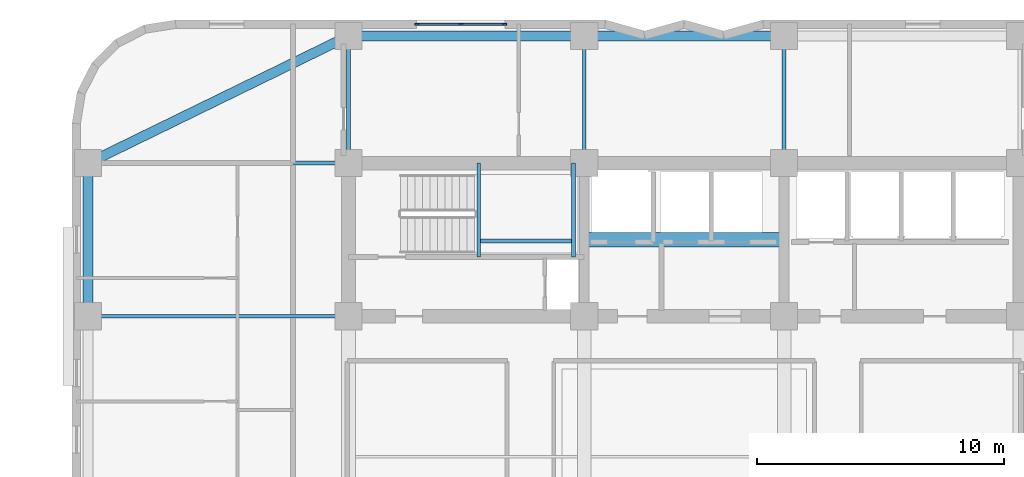
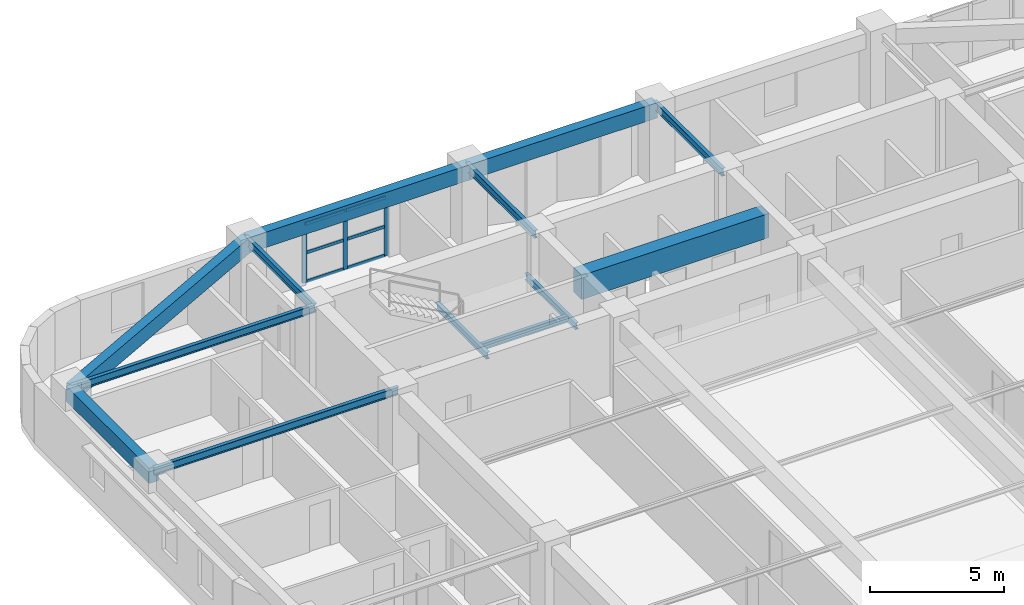
# One storey, part 5 of 15: 13 beams, 9 members, 1 element without a shape of its own.
"""IFC4 building model written with IfcOpenShell, lengths in metres."""

from ifc_helpers import new_model, si_unit, direction, frame, origin, origin_2d, place, context, subcontext, project, spatial, rectangle, i_section, extrude, material, material_profile, profile_set, type_object, element, aggregate, save


model = new_model("IFC4")

# Units and contexts
model_context = context("Model", 3, precision=1e-05, world=origin(), true_north=direction((0.0, 1.0)))
body_context = subcontext(model_context, "Body", "Model", "MODEL_VIEW")
ifc_project = project(units=[si_unit("LENGTHUNIT", "METRE"), si_unit("AREAUNIT", "SQUARE_METRE"), si_unit("VOLUMEUNIT", "CUBIC_METRE"), si_unit("PLANEANGLEUNIT", "RADIAN"), si_unit("MASSUNIT", "GRAM", prefix="KILO")], contexts=[model_context])

# Site, building, storey
site_placement = place(None, origin())
site = spatial("IfcSite", under=ifc_project, at=site_placement, CompositionType="ELEMENT")
building_placement = place(site_placement, origin())
building = spatial("IfcBuilding", under=site, at=building_placement, Name="Svetorya Sky Lyceum", CompositionType="ELEMENT")
storey_placement = place(building_placement, frame((0.0, 0.0, 117.89990234375)))
storey = spatial("IfcBuildingStorey", under=building, at=storey_placement, Name="L29", CompositionType="ELEMENT", Elevation=117.89990234375)

# Beams
ifc_material_1 = material(Name="Concrete C60/75", Category="concrete")
ifc_material_profile_1 = material_profile(ifc_material_1, rectangle(XDim=0.60009765625, YDim=1.10009765625, at=origin_2d()), Name="RC COUPLING 600x1100")
ifc_profile_set_1 = profile_set([ifc_material_profile_1], Name="Concrete C60/75")
beam_type_1 = type_object("IfcBeamType", Name="BM-CPL-1100", PredefinedType="LINTEL", material=ifc_profile_set_1)
beam_1_placement = place(storey_placement, frame((35.14990234375, 42.699951171875, 2.8701171875), z_axis=(1.0, 0.0, 0.0), x_axis=(0.0, 1.0, 0.0)))
element("IfcBeam", 1, at=beam_1_placement, inside=storey, type_object=beam_type_1, Name="L29 NC Core Coupling Beam", PredefinedType="LINTEL", context=body_context, shape_type="SweptSolid", body=[
    extrude(rectangle(XDim=0.60009765625, YDim=1.10009765625, at=origin_2d()), origin(), (0.0, 0.0, 1.0), 8.10009765625),
])
ifc_material_2 = material(Name="Concrete C50/60", Category="concrete")
ifc_material_profile_2 = material_profile(ifc_material_2, rectangle(XDim=0.39990234375, YDim=0.699951171875, at=origin_2d()), Name="RC SPANDREL 400x700")
ifc_profile_set_2 = profile_set([ifc_material_profile_2], Name="Concrete C50/60")
beam_type_2 = type_object("IfcBeamType", Name="BM-SPN-700", PredefinedType="SPANDREL", material=ifc_profile_set_2)
beam_2_placement = place(storey_placement, frame((25.60009765625, 50.949951171875, 3.070068359375), z_axis=(1.0, 0.0, 0.0), x_axis=(0.0, 1.0, 0.0)))
element("IfcBeam", 2, at=beam_2_placement, inside=storey, type_object=beam_type_2, Name="L29 North Spandrel 1", PredefinedType="SPANDREL", context=body_context, shape_type="SweptSolid", body=[
    extrude(rectangle(XDim=0.39990234375, YDim=0.699951171875, at=origin_2d()), origin(), (0.0, 0.0, 1.0), 9.5498046875),
])
beam_3_placement = place(storey_placement, frame((35.14990234375, 50.949951171875, 3.070068359375), z_axis=(1.0, 0.0, 0.0), x_axis=(0.0, 1.0, 0.0)))
element("IfcBeam", 3, at=beam_3_placement, inside=storey, type_object=beam_type_2, Name="L29 North Spandrel 2", PredefinedType="SPANDREL", context=body_context, shape_type="SweptSolid", body=[
    extrude(rectangle(XDim=0.39990234375, YDim=0.699951171875, at=origin_2d()), origin(), (0.0, 0.0, 1.0), 8.10009765625),
])
beam_4_placement = place(storey_placement, frame((15.050048828125, 45.800048828125, 3.070068359375), z_axis=(0.898649693653, 0.438666989978, 0.0), x_axis=(-0.438666989978, 0.898649693653, 0.0)))
element("IfcBeam", 4, at=beam_4_placement, inside=storey, type_object=beam_type_2, Name="L29 Corner Spandrel 4", PredefinedType="SPANDREL", context=body_context, shape_type="SweptSolid", body=[
    extrude(rectangle(XDim=0.39990234375, YDim=0.699951171875, at=origin_2d()), origin(), (0.0, 0.0, 1.0), 11.739990234375),
])
beam_5_placement = place(storey_placement, frame((15.050048828125, 39.60009765625, 3.070068359375), z_axis=(0.0, 1.0, 0.0), x_axis=(-1.0, 0.0, 0.0)))
element("IfcBeam", 5, at=beam_5_placement, inside=storey, type_object=beam_type_2, Name="L29 West Spandrel 4", PredefinedType="SPANDREL", context=body_context, shape_type="SweptSolid", body=[
    extrude(rectangle(XDim=0.39990234375, YDim=0.699951171875, at=origin_2d()), origin(), (0.0, 0.0, 1.0), 6.199951171875),
])
ifc_material_3 = material(Name="Steel S355", Category="steel")
ifc_material_profile_3 = material_profile(ifc_material_3, i_section(OverallWidth=0.14990234375, OverallDepth=0.299072265625, WebThickness=0.006591796875, FlangeThickness=0.010498046875, at=origin_2d()), Name="GOST 30B2")
ifc_profile_set_3 = profile_set([ifc_material_profile_3], Name="Steel S355")
beam_type_3 = type_object("IfcBeamType", Name="BM-STL-30B2", PredefinedType="JOIST", material=ifc_profile_set_3)
for number, where, z_axis, x_axis, name in (
    (6, (30.8798828125, 42.0, 1.50048828125), (0.0, 1.0, 0.0), (-1.0, 0.0, 0.0), "L29 Stair ST-N Half-Landing Support Beam 33.1"),
    (7, (34.719970703125, 42.0, 1.50048828125), (0.0, 1.0, 0.0), (-1.0, 0.0, 0.0), "L29 Stair ST-N Half-Landing Support Beam 33.2"),
):
    element("IfcBeam", number, at=place(storey_placement, frame(where, z_axis=z_axis, x_axis=x_axis)), inside=storey, type_object=beam_type_3, Name=name, PredefinedType="JOIST", context=body_context, shape_type="SweptSolid", body=[
        extrude(i_section(OverallWidth=0.14990234375, OverallDepth=0.299072265625, WebThickness=0.006591796875, FlangeThickness=0.010498046875, at=origin_2d()), origin(), (0.0, 0.0, 1.0), 3.800048828125),
    ])
beam_6_placement = place(storey_placement, frame((30.8798828125, 42.64990234375, 1.50048828125), z_axis=(1.0, 0.0, 0.0), x_axis=(0.0, 1.0, 0.0)))
element("IfcBeam", 8, at=beam_6_placement, inside=storey, type_object=beam_type_3, Name="L29 Stair ST-N Half-Landing Cross Tie 33", PredefinedType="JOIST", context=body_context, shape_type="SweptSolid", body=[
    extrude(i_section(OverallWidth=0.14990234375, OverallDepth=0.299072265625, WebThickness=0.006591796875, FlangeThickness=0.010498046875, at=origin_2d()), origin(), (0.0, 0.0, 1.0), 3.840087890625),
])
ifc_material_profile_4 = material_profile(ifc_material_3, i_section(OverallWidth=0.155029296875, OverallDepth=0.34912109375, WebThickness=0.007080078125, FlangeThickness=0.011474609375, at=origin_2d()), Name="GOST 35B2")
ifc_profile_set_4 = profile_set([ifc_material_profile_4], Name="Steel S355")
beam_type_4 = type_object("IfcBeamType", Name="BM-STL-35B2", PredefinedType="JOIST", material=ifc_profile_set_4)
for number, where, z_axis, x_axis, name in (
    (9, (15.050048828125, 39.60009765625, 3.24560546875), (1.0, 0.0, 0.0), (0.0, 1.0, 0.0), "L29 West Wing Floor Joist W4"),
    (10, (15.050048828125, 45.800048828125, 3.24560546875), (1.0, 0.0, 0.0), (0.0, 1.0, 0.0), "L29 West Wing Floor Joist W5"),
):
    element("IfcBeam", number, at=place(storey_placement, frame(where, z_axis=z_axis, x_axis=x_axis)), inside=storey, type_object=beam_type_4, Name=name, PredefinedType="JOIST", context=body_context, shape_type="SweptSolid", body=[
        extrude(i_section(OverallWidth=0.155029296875, OverallDepth=0.34912109375, WebThickness=0.007080078125, FlangeThickness=0.011474609375, at=origin_2d()), origin(), (0.0, 0.0, 1.0), 10.550048828125),
    ])
for number, where, z_axis, x_axis, name in (
    (11, (25.60009765625, 45.800048828125, 3.24560546875), (0.0, 1.0, 0.0), (-1.0, 0.0, 0.0), "L29 North Bay Floor Girder N1"),
    (12, (35.14990234375, 45.800048828125, 3.24560546875), (0.0, 1.0, 0.0), (-1.0, 0.0, 0.0), "L29 North Bay Floor Girder N2"),
    (13, (43.25, 45.800048828125, 3.24560546875), (0.0, 1.0, 0.0), (-1.0, 0.0, 0.0), "L29 North Bay Floor Girder N3"),
):
    element("IfcBeam", number, at=place(storey_placement, frame(where, z_axis=z_axis, x_axis=x_axis)), inside=storey, type_object=beam_type_4, Name=name, PredefinedType="JOIST", context=body_context, shape_type="SweptSolid", body=[
        extrude(i_section(OverallWidth=0.155029296875, OverallDepth=0.34912109375, WebThickness=0.007080078125, FlangeThickness=0.011474609375, at=origin_2d()), origin(), (0.0, 0.0, 1.0), 5.14990234375),
    ])

# Curtain wall, members
ifc_material_4 = material(Name="Thermally broken anodized aluminium and triple low-E glass", Category="aluminium")
curtain_wall_type = type_object("IfcCurtainWallType", Name="CW3-LOG-RES", PredefinedType="NOTDEFINED", material=ifc_material_4)
curtain_wall_placement = place(storey_placement, origin())
curtain_wall = element("IfcCurtainWall", 14, at=curtain_wall_placement, inside=storey, type_object=curtain_wall_type, Name="L29 Recessed Loggia Curtain Wall 34", PredefinedType="NOTDEFINED")
ifc_material_5 = material(Name="Thermally broken anodized aluminium EN AW-6060", Category="aluminium")
ifc_material_profile_5 = material_profile(ifc_material_5, rectangle(XDim=0.06494140625, YDim=0.179931640625, at=origin_2d()), Name="ALU MULLION 65x180")
ifc_profile_set_5 = profile_set([ifc_material_profile_5], Name="Thermally broken anodized aluminium EN AW-6060")
member_type_1 = type_object("IfcMemberType", Name="CWM-MUL-180", PredefinedType="MULLION", material=ifc_profile_set_5)
member_1_placement = place(storey_placement, frame((31.91748046875, 51.429931640625, 0.0), z_axis=(0.0, 0.0, 1.0), x_axis=(0.0, -1.0, 0.0)))
member_1 = element("IfcMember", 15, at=member_1_placement, type_object=member_type_1, Name="CW-3 mullion 1", PredefinedType="MULLION", context=body_context, shape_type="SweptSolid", body=[
    extrude(rectangle(XDim=0.06494140625, YDim=0.179931640625, at=origin_2d()), origin(), (0.0, 0.0, 1.0), 2.7001953125),
])
member_2_placement = place(storey_placement, frame((30.14990234375, 51.429931640625, 0.0), z_axis=(0.0, 0.0, 1.0), x_axis=(0.0, -1.0, 0.0)))
member_2 = element("IfcMember", 16, at=member_2_placement, type_object=member_type_1, Name="CW-3 mullion 2", PredefinedType="MULLION", context=body_context, shape_type="SweptSolid", body=[
    extrude(rectangle(XDim=0.06494140625, YDim=0.179931640625, at=origin_2d()), origin(), (0.0, 0.0, 1.0), 2.7001953125),
])
member_3_placement = place(storey_placement, frame((28.382568359375, 51.429931640625, 0.0), z_axis=(0.0, 0.0, 1.0), x_axis=(0.0, -1.0, 0.0)))
member_3 = element("IfcMember", 17, at=member_3_placement, type_object=member_type_1, Name="CW-3 mullion 3", PredefinedType="MULLION", context=body_context, shape_type="SweptSolid", body=[
    extrude(rectangle(XDim=0.06494140625, YDim=0.179931640625, at=origin_2d()), origin(), (0.0, 0.0, 1.0), 2.7001953125),
])
ifc_material_profile_6 = material_profile(ifc_material_5, rectangle(XDim=0.06494140625, YDim=0.139892578125, at=origin_2d()), Name="ALU TRANSOM 65x140")
ifc_profile_set_6 = profile_set([ifc_material_profile_6], Name="Thermally broken anodized aluminium EN AW-6060")
member_type_2 = type_object("IfcMemberType", Name="CWM-TRN-140", PredefinedType="USERDEFINED", material=ifc_profile_set_6)
member_4_placement = place(storey_placement, frame((31.886474609375, 51.429931640625, 0.03271484375), z_axis=(-1.0, 0.0, 0.0), x_axis=(0.0, -1.0, 0.0)))
member_4 = element("IfcMember", 18, at=member_4_placement, type_object=member_type_2, Name="CW-3 transom 1.1", ObjectType="TRANSOM", PredefinedType="USERDEFINED", context=body_context, shape_type="SweptSolid", body=[
    extrude(rectangle(XDim=0.06494140625, YDim=0.139892578125, at=origin_2d()), origin(), (0.0, 0.0, 1.0), 1.70556640625),
])
member_5_placement = place(storey_placement, frame((31.886474609375, 51.429931640625, 1.35009765625), z_axis=(-1.0, 0.0, 0.0), x_axis=(0.0, -1.0, 0.0)))
member_5 = element("IfcMember", 19, at=member_5_placement, type_object=member_type_2, Name="CW-3 transom 1.2", ObjectType="TRANSOM", PredefinedType="USERDEFINED", context=body_context, shape_type="SweptSolid", body=[
    extrude(rectangle(XDim=0.06494140625, YDim=0.139892578125, at=origin_2d()), origin(), (0.0, 0.0, 1.0), 1.70556640625),
])
member_6_placement = place(storey_placement, frame((31.886474609375, 51.429931640625, 2.66748046875), z_axis=(-1.0, 0.0, 0.0), x_axis=(0.0, -1.0, 0.0)))
member_6 = element("IfcMember", 20, at=member_6_placement, type_object=member_type_2, Name="CW-3 transom 1.3", ObjectType="TRANSOM", PredefinedType="USERDEFINED", context=body_context, shape_type="SweptSolid", body=[
    extrude(rectangle(XDim=0.06494140625, YDim=0.139892578125, at=origin_2d()), origin(), (0.0, 0.0, 1.0), 1.70556640625),
])
member_7_placement = place(storey_placement, frame((30.118896484375, 51.429931640625, 0.03271484375), z_axis=(-1.0, 0.0, 0.0), x_axis=(0.0, -1.0, 0.0)))
member_7 = element("IfcMember", 21, at=member_7_placement, type_object=member_type_2, Name="CW-3 transom 2.1", ObjectType="TRANSOM", PredefinedType="USERDEFINED", context=body_context, shape_type="SweptSolid", body=[
    extrude(rectangle(XDim=0.06494140625, YDim=0.139892578125, at=origin_2d()), origin(), (0.0, 0.0, 1.0), 1.705322265625),
])
member_8_placement = place(storey_placement, frame((30.118896484375, 51.429931640625, 1.35009765625), z_axis=(-1.0, 0.0, 0.0), x_axis=(0.0, -1.0, 0.0)))
member_8 = element("IfcMember", 22, at=member_8_placement, type_object=member_type_2, Name="CW-3 transom 2.2", ObjectType="TRANSOM", PredefinedType="USERDEFINED", context=body_context, shape_type="SweptSolid", body=[
    extrude(rectangle(XDim=0.06494140625, YDim=0.139892578125, at=origin_2d()), origin(), (0.0, 0.0, 1.0), 1.705322265625),
])
member_9_placement = place(storey_placement, frame((30.118896484375, 51.429931640625, 2.66748046875), z_axis=(-1.0, 0.0, 0.0), x_axis=(0.0, -1.0, 0.0)))
member_9 = element("IfcMember", 23, at=member_9_placement, type_object=member_type_2, Name="CW-3 transom 2.3", ObjectType="TRANSOM", PredefinedType="USERDEFINED", context=body_context, shape_type="SweptSolid", body=[
    extrude(rectangle(XDim=0.06494140625, YDim=0.139892578125, at=origin_2d()), origin(), (0.0, 0.0, 1.0), 1.705322265625),
])
aggregate(curtain_wall, [member_1, member_2, member_3, member_4, member_5, member_6, member_7, member_8, member_9])

save(model, "model.ifc")
